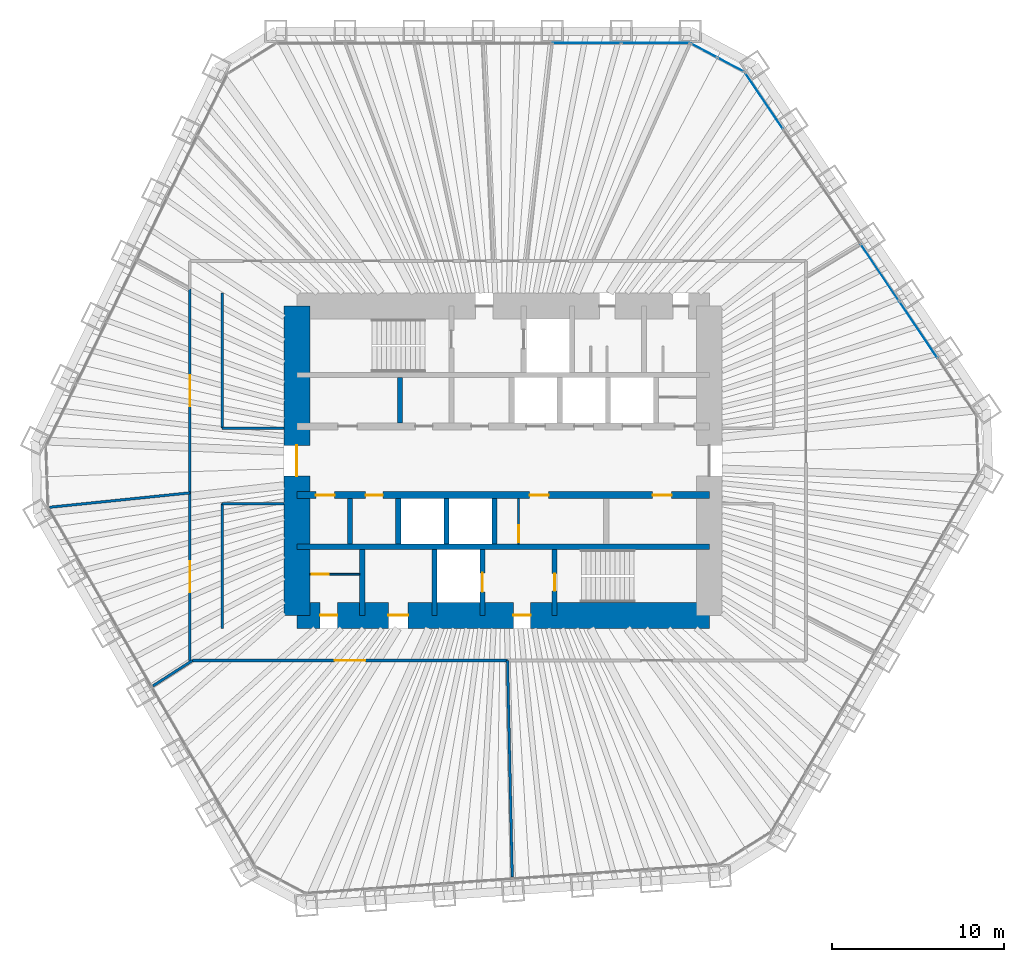
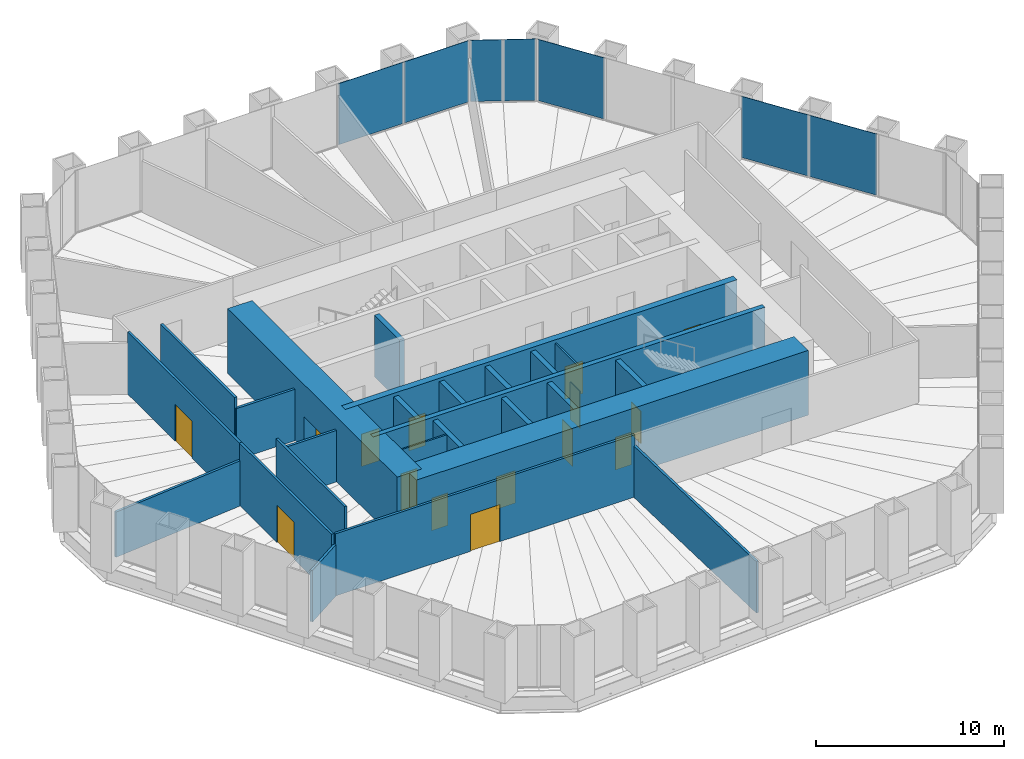
# One storey, part 10 of 13: 25 walls, 15 doors, 7 plates, 15 openings, 3 elements without a shape of their own.
"""IFC4 building model written with IfcOpenShell, lengths in metres."""

from ifc_helpers import new_model, si_unit, direction, frame, frame_2d, origin, origin_2d, place, context, subcontext, project, spatial, rectangle, extrude, material, layer, layer_set, type_object, element, fill, aggregate, save


model = new_model("IFC4")

# Units and contexts
model_context = context("Model", 3, precision=1e-05, world=origin(), true_north=direction((0.0, 1.0)))
body_context = subcontext(model_context, "Body", "Model", "MODEL_VIEW")
ifc_project = project(units=[si_unit("LENGTHUNIT", "METRE"), si_unit("AREAUNIT", "SQUARE_METRE"), si_unit("VOLUMEUNIT", "CUBIC_METRE"), si_unit("PLANEANGLEUNIT", "RADIAN"), si_unit("MASSUNIT", "GRAM", prefix="KILO")], contexts=[model_context])

# Site, building, storey
site_placement = place(None, origin())
site = spatial("IfcSite", under=ifc_project, at=site_placement, CompositionType="ELEMENT")
building_placement = place(site_placement, origin())
building = spatial("IfcBuilding", under=site, at=building_placement, Name="Qingtian Harvest Tower", CompositionType="ELEMENT")
storey_placement = place(building_placement, frame((0.0, 0.0, 136.60009765625)))
storey = spatial("IfcBuildingStorey", under=building, at=storey_placement, Name="L28", CompositionType="ELEMENT", Elevation=136.60009765625)

# Curtain wall, plates
ifc_material_1 = material(Name="Bronze-anodised aluminium curtain wall", Category="aluminium")
curtain_wall_type = type_object("IfcCurtainWallType", Name="Curtain wall CW4 office", PredefinedType="USERDEFINED", material=ifc_material_1)
curtain_wall_1_placement = place(storey_placement, origin())
curtain_wall_1 = element("IfcCurtainWall", 1, at=curtain_wall_1_placement, inside=storey, type_object=curtain_wall_type, Name="Curtain wall CW4 L28 N0-5", ObjectType="RECESSED CURTAIN WALL", PredefinedType="USERDEFINED")
ifc_material_2 = material(Name="Bronze-tinted laminated insulating glass", Category="glass")
ifc_layer_1 = layer(ifc_material_2, 0.030029296875)
ifc_layer_set_1 = layer_set([ifc_layer_1], Name="Glazed panel CWP tinted IGU")
plate_type = type_object("IfcPlateType", Name="Glazed panel CWP tinted IGU", PredefinedType="CURTAIN_PANEL", material=ifc_layer_set_1)
plate_1_placement = place(storey_placement, frame((4.864013671875, 24.300048828125, 0.06494140625), z_axis=(0.0, 0.0, 1.0), x_axis=(1.0, 0.0, 0.0)))
plate_1 = element("IfcPlate", 2, at=plate_1_placement, type_object=plate_type, Name="CW4 panel 5.1", PredefinedType="CURTAIN_PANEL", context=body_context, shape_type="SweptSolid", body=[
    extrude(rectangle(XDim=3.9541015625, YDim=0.030029296875, at=origin_2d()), origin(), (0.0, 0.0, 1.0), 3.965087890625),
])
plate_2_placement = place(storey_placement, frame((8.866943359375, 24.300048828125, 0.06494140625), z_axis=(0.0, 0.0, 1.0), x_axis=(1.0, 0.0, 0.0)))
plate_2 = element("IfcPlate", 3, at=plate_2_placement, type_object=plate_type, Name="CW4 panel 6.1", PredefinedType="CURTAIN_PANEL", context=body_context, shape_type="SweptSolid", body=[
    extrude(rectangle(XDim=3.921630859375, YDim=0.030029296875, at=origin_2d()), origin(), (0.0, 0.0, 1.0), 3.965087890625),
])
aggregate(curtain_wall_1, [plate_1, plate_2])

curtain_wall_2_placement = place(storey_placement, origin())
curtain_wall_2 = element("IfcCurtainWall", 4, at=curtain_wall_2_placement, inside=storey, type_object=curtain_wall_type, Name="Curtain wall CW4 L28 NC", ObjectType="RECESSED CURTAIN WALL", PredefinedType="USERDEFINED")
plate_3_placement = place(storey_placement, frame((11.697509765625, 23.8720703125, 0.06494140625), z_axis=(0.0, 0.0, 1.0), x_axis=(0.882947592859, -0.469471562786, 0.0)))
plate_3 = element("IfcPlate", 5, at=plate_3_placement, type_object=plate_type, Name="CW4 panel 1.1", PredefinedType="CURTAIN_PANEL", context=body_context, shape_type="SweptSolid", body=[
    extrude(rectangle(XDim=1.69287109375, YDim=0.030029296875, at=origin_2d()), origin(), (0.0, 0.0, 1.0), 3.965087890625),
])
plate_4_placement = place(storey_placement, frame((13.249755859375, 23.046875, 0.06494140625), z_axis=(0.0, 0.0, 1.0), x_axis=(0.882947592859, -0.469471562786, 0.0)))
plate_4 = element("IfcPlate", 6, at=plate_4_placement, type_object=plate_type, Name="CW4 panel 2.1", PredefinedType="CURTAIN_PANEL", context=body_context, shape_type="SweptSolid", body=[
    extrude(rectangle(XDim=1.69287109375, YDim=0.030029296875, at=origin_2d()), origin(), (0.0, 0.0, 1.0), 3.965087890625),
])
aggregate(curtain_wall_2, [plate_3, plate_4])

curtain_wall_3_placement = place(storey_placement, origin())
curtain_wall_3 = element("IfcCurtainWall", 7, at=curtain_wall_3_placement, inside=storey, type_object=curtain_wall_type, Name="Curtain wall CW4 L28 NE0-5", ObjectType="RECESSED CURTAIN WALL", PredefinedType="USERDEFINED")
plate_5_placement = place(storey_placement, frame((15.187255859375, 20.939453125, 0.06494140625), z_axis=(0.0, 0.0, 1.0), x_axis=(0.559192903471, -0.829037572555, 0.0)))
plate_5 = element("IfcPlate", 8, at=plate_5_placement, type_object=plate_type, Name="CW4 panel 1.1", PredefinedType="CURTAIN_PANEL", context=body_context, shape_type="SweptSolid", body=[
    extrude(rectangle(XDim=3.921630859375, YDim=0.030029296875, at=origin_2d()), origin(), (0.0, 0.0, 1.0), 3.965087890625),
])
plate_6_placement = place(storey_placement, frame((21.92041015625, 10.95703125, 0.06494140625), z_axis=(0.0, 0.0, 1.0), x_axis=(0.559192903471, -0.829037572555, 0.0)))
plate_6 = element("IfcPlate", 9, at=plate_6_placement, type_object=plate_type, Name="CW4 panel 4.1", PredefinedType="CURTAIN_PANEL", context=body_context, shape_type="SweptSolid", body=[
    extrude(rectangle(XDim=3.9541015625, YDim=0.030029296875, at=origin_2d()), origin(), (0.0, 0.0, 1.0), 3.965087890625),
])
plate_7_placement = place(storey_placement, frame((24.16796875, 7.625, 0.06494140625), z_axis=(0.0, 0.0, 1.0), x_axis=(0.559192903471, -0.829037572555, 0.0)))
plate_7 = element("IfcPlate", 10, at=plate_7_placement, type_object=plate_type, Name="CW4 panel 5.1", PredefinedType="CURTAIN_PANEL", context=body_context, shape_type="SweptSolid", body=[
    extrude(rectangle(XDim=3.9541015625, YDim=0.030029296875, at=origin_2d()), origin(), (0.0, 0.0, 1.0), 3.965087890625),
])
aggregate(curtain_wall_3, [plate_5, plate_6, plate_7])

# Wall
ifc_material_3 = material(Name="Concrete fc' 70 MPa", Category="concrete")
ifc_layer_2 = layer(ifc_material_3, 0.300048828125)
ifc_layer_set_2 = layer_set([ifc_layer_2], Name="Core inner wall RC5 300")
wall_type_1 = type_object("IfcWallType", Name="Core inner wall RC5 300", PredefinedType="SHEAR", material=ifc_layer_set_2)
wall_1_placement = place(storey_placement, frame((-12.0, -5.0, 0.0), z_axis=(0.0, 0.0, 1.0), x_axis=(1.0, 0.0, 0.0)))
element("IfcWall", 11, at=wall_1_placement, inside=storey, type_object=wall_type_1, Name="Core wall IS5 L28", PredefinedType="SHEAR", context=body_context, shape_type="SweptSolid", body=[
    extrude(rectangle(XDim=24.0, YDim=0.300048828125, at=frame_2d((12.0, 0.0))), origin(), (0.0, 0.0, 1.0), 4.199951171875),
])

# Wall, openings, doors
ifc_material_4 = material(Name="Concrete fc' 70 MPa", Category="concrete")
ifc_layer_3 = layer(ifc_material_4, 0.39990234375)
ifc_layer_set_3 = layer_set([ifc_layer_3], Name="Core inner web RC6 400")
wall_type_2 = type_object("IfcWallType", Name="Core inner web RC6 400", PredefinedType="SHEAR", material=ifc_layer_set_3)
wall_2_placement = place(storey_placement, frame((-12.0, -2.0, 0.0), z_axis=(0.0, 0.0, 1.0), x_axis=(1.0, 0.0, 0.0)))
wall_2 = element("IfcWall", 12, at=wall_2_placement, inside=storey, type_object=wall_type_2, Name="Core wall IS2 L28", PredefinedType="SHEAR", context=body_context, shape_type="SweptSolid", body=[
    extrude(rectangle(XDim=24.0, YDim=0.39990234375, at=frame_2d((12.0, 0.0))), origin(), (0.0, 0.0, 1.0), 4.199951171875),
])
opening_1_placement = place(wall_2_placement, frame((1.10009765625, 0.0, 0.0)))
opening_1 = element("IfcOpeningElement", 13, at=opening_1_placement, cuts=wall_2, Name="Opening FD4", PredefinedType="OPENING", context=body_context, shape_type="SweptSolid", body=[
    extrude(rectangle(XDim=1.10009765625, YDim=2.10009765625, at=frame_2d((0.550048828125, 1.050048828125))), frame((0.0, 0.2099609375, 0.0), z_axis=(0.0, -1.0, 0.0), x_axis=(1.0, 0.0, 0.0)), (0.0, 0.0, 1.0), 0.419921875),
])
opening_2_placement = place(wall_2_placement, frame((13.550048828125, 0.0, 0.0)))
opening_2 = element("IfcOpeningElement", 14, at=opening_2_placement, cuts=wall_2, Name="Opening FD4", PredefinedType="OPENING", context=body_context, shape_type="SweptSolid", body=[
    extrude(rectangle(XDim=1.10009765625, YDim=2.10009765625, at=frame_2d((0.550048828125, 1.050048828125))), frame((0.0, 0.2099609375, 0.0), z_axis=(0.0, -1.0, 0.0), x_axis=(1.0, 0.0, 0.0)), (0.0, 0.0, 1.0), 0.419921875),
])
opening_3_placement = place(wall_2_placement, frame((20.699951171875, 0.0, 0.0)))
opening_3 = element("IfcOpeningElement", 15, at=opening_3_placement, cuts=wall_2, Name="Opening FD4", PredefinedType="OPENING", context=body_context, shape_type="SweptSolid", body=[
    extrude(rectangle(XDim=1.10009765625, YDim=2.10009765625, at=frame_2d((0.550048828125, 1.050048828125))), frame((0.0, 0.2099609375, 0.0), z_axis=(0.0, -1.0, 0.0), x_axis=(1.0, 0.0, 0.0)), (0.0, 0.0, 1.0), 0.419921875),
])
opening_4_placement = place(wall_2_placement, frame((4.0, 0.0, 0.0)))
opening_4 = element("IfcOpeningElement", 16, at=opening_4_placement, cuts=wall_2, Name="Opening FD1", PredefinedType="OPENING", context=body_context, shape_type="SweptSolid", body=[
    extrude(rectangle(XDim=1.0, YDim=2.10009765625, at=frame_2d((0.5, 1.050048828125))), frame((0.0, 0.2099609375, 0.0), z_axis=(0.0, -1.0, 0.0), x_axis=(1.0, 0.0, 0.0)), (0.0, 0.0, 1.0), 0.419921875),
])
ifc_material_5 = material(Name="Steel-faced door leaf", Category="steel")
door_type_1 = type_object("IfcDoorType", Name="Fire door FD1 single 1 HR", OperationType="SINGLE_SWING_LEFT", PredefinedType="DOOR", material=ifc_material_5)
door_1_placement = place(opening_4_placement, origin())
door_1 = element("IfcDoor", 17, at=door_1_placement, inside=storey, type_object=door_type_1, Name="Staff WC door L28", OperationType="SINGLE_SWING_LEFT", OverallHeight=2.10009765625, OverallWidth=1.0, PredefinedType="DOOR", context=body_context, shape_type="SweptSolid", body=[
    extrude(rectangle(XDim=1.0, YDim=2.10009765625, at=frame_2d((0.5, 1.050048828125))), frame((0.0, 0.02490234375, 0.0), z_axis=(0.0, -1.0, 0.0), x_axis=(1.0, 0.0, 0.0)), (0.0, 0.0, 1.0), 0.050048828125),
])
fill(opening_4, door_1)
ifc_material_6 = material(Name="Steel-faced door leaf", Category="steel")
door_type_2 = type_object("IfcDoorType", Name="Fire door FD4 single 2 HR", OperationType="SINGLE_SWING_LEFT", PredefinedType="DOOR", material=ifc_material_6)
door_2_placement = place(opening_1_placement, origin())
door_2 = element("IfcDoor", 18, at=door_2_placement, inside=storey, type_object=door_type_2, Name="RB door L28", OperationType="SINGLE_SWING_RIGHT", OverallHeight=2.10009765625, OverallWidth=1.10009765625, PredefinedType="DOOR", context=body_context, shape_type="SweptSolid", body=[
    extrude(rectangle(XDim=1.10009765625, YDim=2.10009765625, at=frame_2d((0.550048828125, 1.050048828125))), frame((0.0, 0.02490234375, 0.0), z_axis=(0.0, -1.0, 0.0), x_axis=(1.0, 0.0, 0.0)), (0.0, 0.0, 1.0), 0.050048828125),
])
fill(opening_1, door_2)
door_3_placement = place(opening_2_placement, origin())
door_3 = element("IfcDoor", 19, at=door_3_placement, inside=storey, type_object=door_type_2, Name="ELEC door L28", OperationType="SINGLE_SWING_RIGHT", OverallHeight=2.10009765625, OverallWidth=1.10009765625, PredefinedType="DOOR", context=body_context, shape_type="SweptSolid", body=[
    extrude(rectangle(XDim=1.10009765625, YDim=2.10009765625, at=frame_2d((0.550048828125, 1.050048828125))), frame((0.0, 0.02490234375, 0.0), z_axis=(0.0, -1.0, 0.0), x_axis=(1.0, 0.0, 0.0)), (0.0, 0.0, 1.0), 0.050048828125),
])
fill(opening_2, door_3)
door_4_placement = place(opening_3_placement, origin())
door_4 = element("IfcDoor", 20, at=door_4_placement, inside=storey, type_object=door_type_2, Name="DUCT door L28", OperationType="SINGLE_SWING_LEFT", OverallHeight=2.10009765625, OverallWidth=1.10009765625, PredefinedType="DOOR", context=body_context, shape_type="SweptSolid", body=[
    extrude(rectangle(XDim=1.10009765625, YDim=2.10009765625, at=frame_2d((0.550048828125, 1.050048828125))), frame((0.0, 0.02490234375, 0.0), z_axis=(0.0, -1.0, 0.0), x_axis=(1.0, 0.0, 0.0)), (0.0, 0.0, 1.0), 0.050048828125),
])
fill(opening_3, door_4)

# Walls
ifc_material_7 = material(Name="Precast concrete shaft panel", Category="concrete")
ifc_layer_4 = layer(ifc_material_7, 0.300048828125)
ifc_layer_set_4 = layer_set([ifc_layer_4], Name="Core shaft partition SW1 300")
wall_type_3 = type_object("IfcWallType", Name="Core shaft partition SW1 300", PredefinedType="PARTITIONING", material=ifc_layer_set_4)
for number, where, z_axis, x_axis, name in (
    (21, (-6.0, 2.199951171875, 0.0), (0.0, 0.0, 1.0), (0.0, 1.0, 0.0), "Core shaft partition XA1 L28"),
    (22, (-8.89990234375, -4.85009765625, 0.0), (0.0, 0.0, 1.0), (0.0, 1.0, 0.0), "Core shaft partition XB1 L28"),
    (23, (-6.10009765625, -4.85009765625, 0.0), (0.0, 0.0, 1.0), (0.0, 1.0, 0.0), "Core shaft partition XB2 L28"),
    (24, (-3.300048828125, -4.85009765625, 0.0), (0.0, 0.0, 1.0), (0.0, 1.0, 0.0), "Core shaft partition XB3 L28"),
    (25, (-0.5, -4.85009765625, 0.0), (0.0, 0.0, 1.0), (0.0, 1.0, 0.0), "Core shaft partition XB4 L28"),
):
    element("IfcWall", number, at=place(storey_placement, frame(where, z_axis=z_axis, x_axis=x_axis)), inside=storey, type_object=wall_type_3, Name=name, PredefinedType="PARTITIONING", context=body_context, shape_type="SweptSolid", body=[
        extrude(rectangle(XDim=2.650146484375, YDim=0.300048828125, at=frame_2d((1.3251953125, 0.0))), origin(), (0.0, 0.0, 1.0), 3.97998046875),
    ])
for number, where, z_axis, x_axis, name in (
    (26, (-8.199951171875, -9.0, 0.0), (0.0, 0.0, 1.0), (0.0, 1.0, 0.0), "Core shaft partition XS1 L28"),
    (27, (-4.0, -9.0, 0.0), (0.0, 0.0, 1.0), (0.0, 1.0, 0.0), "Core shaft partition XS2 L28"),
):
    element("IfcWall", number, at=place(storey_placement, frame(where, z_axis=z_axis, x_axis=x_axis)), inside=storey, type_object=wall_type_3, Name=name, PredefinedType="PARTITIONING", context=body_context, shape_type="SweptSolid", body=[
        extrude(rectangle(XDim=3.85009765625, YDim=0.300048828125, at=frame_2d((1.925048828125, 0.0))), origin(), (0.0, 0.0, 1.0), 3.97998046875),
    ])

# Wall, opening, door
wall_3_placement = place(storey_placement, frame((-1.199951171875, -9.0, 0.0), z_axis=(0.0, 0.0, 1.0), x_axis=(0.0, 1.0, 0.0)))
wall_3 = element("IfcWall", 28, at=wall_3_placement, inside=storey, type_object=wall_type_3, Name="Core shaft partition XS3 L28", PredefinedType="PARTITIONING", context=body_context, shape_type="SweptSolid", body=[
    extrude(rectangle(XDim=3.85009765625, YDim=0.300048828125, at=frame_2d((1.925048828125, 0.0))), origin(), (0.0, 0.0, 1.0), 3.97998046875),
])
opening_5_placement = place(wall_3_placement, frame((1.375, 0.0, 0.0)))
opening_5 = element("IfcOpeningElement", 29, at=opening_5_placement, cuts=wall_3, Name="Opening LD1", PredefinedType="OPENING", context=body_context, shape_type="SweptSolid", body=[
    extrude(rectangle(XDim=1.10009765625, YDim=2.39990234375, at=frame_2d((0.550048828125, 1.199951171875))), frame((0.0, 0.159912109375, 0.0), z_axis=(0.0, -1.0, 0.0), x_axis=(1.0, 0.0, 0.0)), (0.0, 0.0, 1.0), 0.320068359375),
])
ifc_material_8 = material(Name="Stainless steel lift landing door", Category="steel")
door_type_3 = type_object("IfcDoorType", Name="Lift landing door LD1 1 HR", OperationType="DOUBLE_DOOR_SLIDING", PredefinedType="DOOR", material=ifc_material_8)
door_5_placement = place(opening_5_placement, origin())
door_5 = element("IfcDoor", 30, at=door_5_placement, inside=storey, type_object=door_type_3, Name="FL2 landing door L28", OperationType="DOUBLE_DOOR_SLIDING", OverallHeight=2.39990234375, OverallWidth=1.10009765625, PredefinedType="DOOR", context=body_context, shape_type="SweptSolid", body=[
    extrude(rectangle(XDim=1.10009765625, YDim=2.39990234375, at=frame_2d((0.550048828125, 1.199951171875))), frame((0.0, 0.02490234375, 0.0), z_axis=(0.0, -1.0, 0.0), x_axis=(1.0, 0.0, 0.0)), (0.0, 0.0, 1.0), 0.050048828125),
])
fill(opening_5, door_5)

wall_4_placement = place(storey_placement, frame((3.0, -9.0, 0.0), z_axis=(0.0, 0.0, 1.0), x_axis=(0.0, 1.0, 0.0)))
wall_4 = element("IfcWall", 31, at=wall_4_placement, inside=storey, type_object=wall_type_3, Name="Core shaft partition XS4 L28", PredefinedType="PARTITIONING", context=body_context, shape_type="SweptSolid", body=[
    extrude(rectangle(XDim=3.85009765625, YDim=0.300048828125, at=frame_2d((1.925048828125, 0.0))), origin(), (0.0, 0.0, 1.0), 3.97998046875),
])
opening_6_placement = place(wall_4_placement, frame((1.425048828125, 0.0, 0.0)))
opening_6 = element("IfcOpeningElement", 32, at=opening_6_placement, cuts=wall_4, Name="Opening FD1", PredefinedType="OPENING", context=body_context, shape_type="SweptSolid", body=[
    extrude(rectangle(XDim=1.0, YDim=2.10009765625, at=frame_2d((0.5, 1.050048828125))), frame((0.0, 0.159912109375, 0.0), z_axis=(0.0, -1.0, 0.0), x_axis=(1.0, 0.0, 0.0)), (0.0, 0.0, 1.0), 0.320068359375),
])
door_6_placement = place(opening_6_placement, origin())
door_6 = element("IfcDoor", 33, at=door_6_placement, inside=storey, type_object=door_type_1, Name="S2 door L28", OperationType="SINGLE_SWING_LEFT", OverallHeight=2.10009765625, OverallWidth=1.0, PredefinedType="DOOR", context=body_context, shape_type="SweptSolid", body=[
    extrude(rectangle(XDim=1.0, YDim=2.10009765625, at=frame_2d((0.5, 1.050048828125))), frame((0.0, 0.02490234375, 0.0), z_axis=(0.0, -1.0, 0.0), x_axis=(1.0, 0.0, 0.0)), (0.0, 0.0, 1.0), 0.050048828125),
])
fill(opening_6, door_6)

# Wall, openings, doors
ifc_material_9 = material(Name="Concrete fc' 70 MPa", Category="concrete")
ifc_layer_5 = layer(ifc_material_9, 1.5)
ifc_layer_set_5 = layer_set([ifc_layer_5], Name="Core wall RC1 1500")
wall_type_4 = type_object("IfcWallType", Name="Core wall RC1 1500", PredefinedType="SHEAR", material=ifc_layer_set_5)
wall_5_placement = place(storey_placement, frame((-12.0, -9.0, 0.0), z_axis=(0.0, 0.0, 1.0), x_axis=(1.0, 0.0, 0.0)))
wall_5 = element("IfcWall", 34, at=wall_5_placement, inside=storey, type_object=wall_type_4, Name="Core wall CS L28", PredefinedType="SHEAR", context=body_context, shape_type="SweptSolid", body=[
    extrude(rectangle(XDim=24.0, YDim=1.5, at=frame_2d((12.0, 0.0))), origin(), (0.0, 0.0, 1.0), 4.199951171875),
])
opening_7_placement = place(wall_5_placement, frame((1.35009765625, 0.0, 0.0)))
opening_7 = element("IfcOpeningElement", 35, at=opening_7_placement, cuts=wall_5, Name="Opening FD1", PredefinedType="OPENING", context=body_context, shape_type="SweptSolid", body=[
    extrude(rectangle(XDim=1.0, YDim=2.10009765625, at=frame_2d((0.5, 1.050048828125))), frame((0.0, 0.760009765625, 0.0), z_axis=(0.0, -1.0, 0.0), x_axis=(1.0, 0.0, 0.0)), (0.0, 0.0, 1.0), 1.52001953125),
])
opening_8_placement = place(wall_5_placement, frame((5.324951171875, 0.0, 0.0)))
opening_8 = element("IfcOpeningElement", 36, at=opening_8_placement, cuts=wall_5, Name="Opening AD1", PredefinedType="OPENING", context=body_context, shape_type="SweptSolid", body=[
    extrude(rectangle(XDim=1.14990234375, YDim=2.10009765625, at=frame_2d((0.574951171875, 1.050048828125))), frame((0.0, 0.760009765625, 0.0), z_axis=(0.0, -1.0, 0.0), x_axis=(1.0, 0.0, 0.0)), (0.0, 0.0, 1.0), 1.52001953125),
])
opening_9_placement = place(wall_5_placement, frame((12.60009765625, 0.0, 0.0)))
opening_9 = element("IfcOpeningElement", 37, at=opening_9_placement, cuts=wall_5, Name="Opening FD1", PredefinedType="OPENING", context=body_context, shape_type="SweptSolid", body=[
    extrude(rectangle(XDim=1.0, YDim=2.10009765625, at=frame_2d((0.5, 1.050048828125))), frame((0.0, 0.760009765625, 0.0), z_axis=(0.0, -1.0, 0.0), x_axis=(1.0, 0.0, 0.0)), (0.0, 0.0, 1.0), 1.52001953125),
])
ifc_material_10 = material(Name="Laminated timber door leaf", Category="wood")
door_type_4 = type_object("IfcDoorType", Name="Accessible WC door AD1 single", OperationType="SINGLE_SWING_LEFT", PredefinedType="DOOR", material=ifc_material_10)
door_7_placement = place(opening_8_placement, origin())
door_7 = element("IfcDoor", 38, at=door_7_placement, inside=storey, type_object=door_type_4, Name="AWC door L28", OperationType="SINGLE_SWING_RIGHT", OverallHeight=2.10009765625, OverallWidth=1.14990234375, PredefinedType="DOOR", context=body_context, shape_type="SweptSolid", body=[
    extrude(rectangle(XDim=1.14990234375, YDim=2.10009765625, at=frame_2d((0.574951171875, 1.050048828125))), frame((0.0, 0.02490234375, 0.0), z_axis=(0.0, -1.0, 0.0), x_axis=(1.0, 0.0, 0.0)), (0.0, 0.0, 1.0), 0.050048828125),
])
fill(opening_8, door_7)
door_8_placement = place(opening_7_placement, origin())
door_8 = element("IfcDoor", 39, at=door_8_placement, inside=storey, type_object=door_type_1, Name="CLN door L28", OperationType="SINGLE_SWING_LEFT", OverallHeight=2.10009765625, OverallWidth=1.0, PredefinedType="DOOR", context=body_context, shape_type="SweptSolid", body=[
    extrude(rectangle(XDim=1.0, YDim=2.10009765625, at=frame_2d((0.5, 1.050048828125))), frame((0.0, 0.02490234375, 0.0), z_axis=(0.0, -1.0, 0.0), x_axis=(1.0, 0.0, 0.0)), (0.0, 0.0, 1.0), 0.050048828125),
])
fill(opening_7, door_8)
door_9_placement = place(opening_9_placement, origin())
door_9 = element("IfcDoor", 40, at=door_9_placement, inside=storey, type_object=door_type_1, Name="V2 door L28", OperationType="SINGLE_SWING_LEFT", OverallHeight=2.10009765625, OverallWidth=1.0, PredefinedType="DOOR", context=body_context, shape_type="SweptSolid", body=[
    extrude(rectangle(XDim=1.0, YDim=2.10009765625, at=frame_2d((0.5, 1.050048828125))), frame((0.0, 0.02490234375, 0.0), z_axis=(0.0, -1.0, 0.0), x_axis=(1.0, 0.0, 0.0)), (0.0, 0.0, 1.0), 0.050048828125),
])
fill(opening_9, door_9)

# Wall, opening, door
wall_6_placement = place(storey_placement, frame((-12.0, -9.0, 0.0), z_axis=(0.0, 0.0, 1.0), x_axis=(0.0, 1.0, 0.0)))
wall_6 = element("IfcWall", 41, at=wall_6_placement, inside=storey, type_object=wall_type_4, Name="Core wall CW L28", PredefinedType="SHEAR", context=body_context, shape_type="SweptSolid", body=[
    extrude(rectangle(XDim=18.0, YDim=1.5, at=frame_2d((9.0, 0.0))), origin(), (0.0, 0.0, 1.0), 4.199951171875),
])
opening_10_placement = place(wall_6_placement, frame((8.10009765625, 0.0, 0.0)))
opening_10 = element("IfcOpeningElement", 42, at=opening_10_placement, cuts=wall_6, Name="Opening FD2", PredefinedType="OPENING", context=body_context, shape_type="SweptSolid", body=[
    extrude(rectangle(XDim=1.800048828125, YDim=2.10009765625, at=frame_2d((0.89990234375, 1.050048828125))), frame((0.0, 0.760009765625, 0.0), z_axis=(0.0, -1.0, 0.0), x_axis=(1.0, 0.0, 0.0)), (0.0, 0.0, 1.0), 1.52001953125),
])
ifc_material_11 = material(Name="Steel-faced door leaf", Category="steel")
door_type_5 = type_object("IfcDoorType", Name="Fire door FD2 double 1 HR", OperationType="DOUBLE_DOOR_DOUBLE_SWING", PredefinedType="DOOR", material=ifc_material_11)
door_10_placement = place(opening_10_placement, origin())
door_10 = element("IfcDoor", 43, at=door_10_placement, inside=storey, type_object=door_type_5, Name="LOBBY-W door L28", OperationType="DOUBLE_DOOR_DOUBLE_SWING", OverallHeight=2.10009765625, OverallWidth=1.800048828125, PredefinedType="DOOR", context=body_context, shape_type="SweptSolid", body=[
    extrude(rectangle(XDim=1.800048828125, YDim=2.10009765625, at=frame_2d((0.89990234375, 1.050048828125))), frame((0.0, 0.02490234375, 0.0), z_axis=(0.0, -1.0, 0.0), x_axis=(1.0, 0.0, 0.0)), (0.0, 0.0, 1.0), 0.050048828125),
])
fill(opening_10, door_10)

# Wall
ifc_material_12 = material(Name="Gypsum board on steel studs", Category="steel")
ifc_layer_6 = layer(ifc_material_12, 0.14990234375)
ifc_layer_set_6 = layer_set([ifc_layer_6], Name="Partition PT1 150")
wall_type_5 = type_object("IfcWallType", Name="Partition PT1 150", PredefinedType="PARTITIONING", material=ifc_layer_set_6)
wall_7_placement = place(storey_placement, frame((0.53125, -24.22216796875, 0.0), z_axis=(0.0, 0.0, 1.0), x_axis=(-0.021933557026, 0.999759430601, 0.0)))
element("IfcWall", 44, at=wall_7_placement, inside=storey, type_object=wall_type_5, Name="Office suite wall L28", PredefinedType="PARTITIONING", context=body_context, shape_type="SweptSolid", body=[
    extrude(rectangle(XDim=12.60009765625, YDim=0.14990234375, at=frame_2d((6.300048828125, 0.0))), origin(), (0.0, 0.0, 1.0), 3.329833984375),
])

# Wall, opening, door
wall_8_placement = place(storey_placement, frame((0.2548828125, -11.625, 0.0), z_axis=(0.0, 0.0, 1.0), x_axis=(-1.0, 0.0, 0.0)))
wall_8 = element("IfcWall", 45, at=wall_8_placement, inside=storey, type_object=wall_type_5, Name="Office suite wall L28", PredefinedType="PARTITIONING", context=body_context, shape_type="SweptSolid", body=[
    extrude(rectangle(XDim=18.332275390625, YDim=0.14990234375, at=frame_2d((9.166015625, 0.0))), origin(), (0.0, 0.0, 1.0), 4.02978515625),
])
opening_11_placement = place(wall_8_placement, frame((8.26611328125, 0.0, 0.0)))
opening_11 = element("IfcOpeningElement", 46, at=opening_11_placement, cuts=wall_8, Name="Opening D3", PredefinedType="OPENING", context=body_context, shape_type="SweptSolid", body=[
    extrude(rectangle(XDim=1.800048828125, YDim=2.39990234375, at=frame_2d((0.89990234375, 1.199951171875))), frame((0.0, 0.0849609375, 0.0), z_axis=(0.0, -1.0, 0.0), x_axis=(1.0, 0.0, 0.0)), (0.0, 0.0, 1.0), 0.169921875),
])
ifc_material_13 = material(Name="Laminated timber door leaf", Category="wood")
door_type_6 = type_object("IfcDoorType", Name="Room door D3 double", OperationType="DOUBLE_DOOR_DOUBLE_SWING", PredefinedType="DOOR", material=ifc_material_13)
door_11_placement = place(opening_11_placement, origin())
door_11 = element("IfcDoor", 47, at=door_11_placement, inside=storey, type_object=door_type_6, Name="Office suite door L28", OperationType="DOUBLE_DOOR_DOUBLE_SWING", OverallHeight=2.39990234375, OverallWidth=1.800048828125, PredefinedType="DOOR", context=body_context, shape_type="SweptSolid", body=[
    extrude(rectangle(XDim=1.800048828125, YDim=2.39990234375, at=frame_2d((0.89990234375, 1.199951171875))), frame((0.0, 0.02490234375, 0.0), z_axis=(0.0, -1.0, 0.0), x_axis=(1.0, 0.0, 0.0)), (0.0, 0.0, 1.0), 0.050048828125),
])
fill(opening_11, door_11)

# Wall
wall_9_placement = place(storey_placement, frame((-20.378173828125, -13.1044921875, 0.0), z_axis=(0.0, 0.0, 1.0), x_axis=(0.841108871346, 0.540865848934, 0.0)))
element("IfcWall", 48, at=wall_9_placement, inside=storey, type_object=wall_type_5, Name="Office suite wall L28", PredefinedType="PARTITIONING", context=body_context, shape_type="SweptSolid", body=[
    extrude(rectangle(XDim=2.7353515625, YDim=0.14990234375, at=frame_2d((1.36767578125, 0.0))), origin(), (0.0, 0.0, 1.0), 3.329833984375),
])

# Wall, opening, door
wall_10_placement = place(storey_placement, frame((-18.22509765625, -11.625, 0.0), z_axis=(0.0, 0.0, 1.0), x_axis=(0.0, 1.0, 0.0)))
wall_10 = element("IfcWall", 49, at=wall_10_placement, inside=storey, type_object=wall_type_5, Name="Office suite wall L28", PredefinedType="PARTITIONING", context=body_context, shape_type="SweptSolid", body=[
    extrude(rectangle(XDim=9.756103515625, YDim=0.14990234375, at=frame_2d((4.8779296875, 0.0))), origin(), (0.0, 0.0, 1.0), 4.02978515625),
])
opening_12_placement = place(wall_10_placement, frame((3.97802734375, 0.0, 0.0)))
opening_12 = element("IfcOpeningElement", 50, at=opening_12_placement, cuts=wall_10, Name="Opening D3", PredefinedType="OPENING", context=body_context, shape_type="SweptSolid", body=[
    extrude(rectangle(XDim=1.800048828125, YDim=2.39990234375, at=frame_2d((0.89990234375, 1.199951171875))), frame((0.0, 0.0849609375, 0.0), z_axis=(0.0, -1.0, 0.0), x_axis=(1.0, 0.0, 0.0)), (0.0, 0.0, 1.0), 0.169921875),
])
door_12_placement = place(opening_12_placement, origin())
door_12 = element("IfcDoor", 51, at=door_12_placement, inside=storey, type_object=door_type_6, Name="Office suite door L28", OperationType="DOUBLE_DOOR_DOUBLE_SWING", OverallHeight=2.39990234375, OverallWidth=1.800048828125, PredefinedType="DOOR", context=body_context, shape_type="SweptSolid", body=[
    extrude(rectangle(XDim=1.800048828125, YDim=2.39990234375, at=frame_2d((0.89990234375, 1.199951171875))), frame((0.0, 0.02490234375, 0.0), z_axis=(0.0, -1.0, 0.0), x_axis=(1.0, 0.0, 0.0)), (0.0, 0.0, 1.0), 0.050048828125),
])
fill(opening_12, door_12)

# Wall
wall_11_placement = place(storey_placement, frame((-26.391357421875, -2.706298828125, 0.0), z_axis=(0.0, 0.0, 1.0), x_axis=(0.994783450774, 0.102009245004, 0.0)))
element("IfcWall", 52, at=wall_11_placement, inside=storey, type_object=wall_type_5, Name="Office suite wall L28", PredefinedType="PARTITIONING", context=body_context, shape_type="SweptSolid", body=[
    extrude(rectangle(XDim=8.208984375, YDim=0.14990234375, at=frame_2d((4.1044921875, 0.0))), origin(), (0.0, 0.0, 1.0), 2.929931640625),
])

# Wall, opening, door
wall_12_placement = place(storey_placement, frame((-18.22509765625, -1.868896484375, 0.0), z_axis=(0.0, 0.0, 1.0), x_axis=(0.0, 1.0, 0.0)))
wall_12 = element("IfcWall", 53, at=wall_12_placement, inside=storey, type_object=wall_type_5, Name="Office suite wall L28", PredefinedType="PARTITIONING", context=body_context, shape_type="SweptSolid", body=[
    extrude(rectangle(XDim=11.86474609375, YDim=0.14990234375, at=frame_2d((5.932373046875, 0.0))), origin(), (0.0, 0.0, 1.0), 4.02978515625),
])
opening_13_placement = place(wall_12_placement, frame((5.032470703125, 0.0, 0.0)))
opening_13 = element("IfcOpeningElement", 54, at=opening_13_placement, cuts=wall_12, Name="Opening D3", PredefinedType="OPENING", context=body_context, shape_type="SweptSolid", body=[
    extrude(rectangle(XDim=1.800048828125, YDim=2.39990234375, at=frame_2d((0.89990234375, 1.199951171875))), frame((0.0, 0.0849609375, 0.0), z_axis=(0.0, -1.0, 0.0), x_axis=(1.0, 0.0, 0.0)), (0.0, 0.0, 1.0), 0.169921875),
])
door_13_placement = place(opening_13_placement, origin())
door_13 = element("IfcDoor", 55, at=door_13_placement, inside=storey, type_object=door_type_6, Name="Office suite door L28", OperationType="DOUBLE_DOOR_DOUBLE_SWING", OverallHeight=2.39990234375, OverallWidth=1.800048828125, PredefinedType="DOOR", context=body_context, shape_type="SweptSolid", body=[
    extrude(rectangle(XDim=1.800048828125, YDim=2.39990234375, at=frame_2d((0.89990234375, 1.199951171875))), frame((0.0, 0.02490234375, 0.0), z_axis=(0.0, -1.0, 0.0), x_axis=(1.0, 0.0, 0.0)), (0.0, 0.0, 1.0), 0.050048828125),
])
fill(opening_13, door_13)

# Walls
wall_13_placement = place(storey_placement, frame((-16.35009765625, 1.89990234375, 0.0), z_axis=(0.0, 0.0, 1.0), x_axis=(0.0, 1.0, 0.0)))
element("IfcWall", 56, at=wall_13_placement, inside=storey, type_object=wall_type_5, Name="Reading area wall L28", PredefinedType="PARTITIONING", context=body_context, shape_type="SweptSolid", body=[
    extrude(rectangle(XDim=7.85009765625, YDim=0.14990234375, at=frame_2d((3.925048828125, 0.0))), origin(), (0.0, 0.0, 1.0), 4.02978515625),
])
wall_14_placement = place(storey_placement, frame((-12.75, 1.89990234375, 0.0), z_axis=(0.0, 0.0, 1.0), x_axis=(-1.0, 0.0, 0.0)))
element("IfcWall", 57, at=wall_14_placement, inside=storey, type_object=wall_type_5, Name="Reading area wall L28", PredefinedType="PARTITIONING", context=body_context, shape_type="SweptSolid", body=[
    extrude(rectangle(XDim=3.60009765625, YDim=0.14990234375, at=frame_2d((1.800048828125, 0.0))), origin(), (0.0, 0.0, 1.0), 3.329833984375),
])
wall_15_placement = place(storey_placement, frame((-16.35009765625, -9.75, 0.0), z_axis=(0.0, 0.0, 1.0), x_axis=(0.0, 1.0, 0.0)))
element("IfcWall", 58, at=wall_15_placement, inside=storey, type_object=wall_type_5, Name="Coffee point wall L28", PredefinedType="PARTITIONING", context=body_context, shape_type="SweptSolid", body=[
    extrude(rectangle(XDim=7.25, YDim=0.14990234375, at=frame_2d((3.625, 0.0))), origin(), (0.0, 0.0, 1.0), 4.02978515625),
])
wall_16_placement = place(storey_placement, frame((-12.75, -2.5, 0.0), z_axis=(0.0, 0.0, 1.0), x_axis=(-1.0, 0.0, 0.0)))
element("IfcWall", 59, at=wall_16_placement, inside=storey, type_object=wall_type_5, Name="Coffee point wall L28", PredefinedType="PARTITIONING", context=body_context, shape_type="SweptSolid", body=[
    extrude(rectangle(XDim=3.60009765625, YDim=0.14990234375, at=frame_2d((1.800048828125, 0.0))), origin(), (0.0, 0.0, 1.0), 3.329833984375),
])

# Wall, opening, door
ifc_material_14 = material(Name="Concrete block partition", Category="concrete")
ifc_layer_7 = layer(ifc_material_14, 0.10009765625)
ifc_layer_set_7 = layer_set([ifc_layer_7], Name="Store partition PT3 100")
wall_type_6 = type_object("IfcWallType", Name="Store partition PT3 100", PredefinedType="PARTITIONING", material=ifc_layer_set_7)
wall_17_placement = place(storey_placement, frame((0.89990234375, -4.85009765625, 0.0), z_axis=(0.0, 0.0, 1.0), x_axis=(0.0, 1.0, 0.0)))
wall_17 = element("IfcWall", 60, at=wall_17_placement, inside=storey, type_object=wall_type_6, Name="Comms room wall L28", PredefinedType="PARTITIONING", context=body_context, shape_type="SweptSolid", body=[
    extrude(rectangle(XDim=2.650146484375, YDim=0.10009765625, at=frame_2d((1.3251953125, 0.0))), origin(), (0.0, 0.0, 1.0), 3.97998046875),
])
opening_14_placement = place(wall_17_placement, frame((0.10009765625, 0.0, 0.0)))
opening_14 = element("IfcOpeningElement", 61, at=opening_14_placement, cuts=wall_17, Name="Opening D2", PredefinedType="OPENING", context=body_context, shape_type="SweptSolid", body=[
    extrude(rectangle(XDim=1.0, YDim=2.39990234375, at=frame_2d((0.5, 1.199951171875))), frame((0.0, 0.06005859375, 0.0), z_axis=(0.0, -1.0, 0.0), x_axis=(1.0, 0.0, 0.0)), (0.0, 0.0, 1.0), 0.1201171875),
])
ifc_material_15 = material(Name="Laminated timber door leaf", Category="wood")
door_type_7 = type_object("IfcDoorType", Name="Room door D2 single", OperationType="SINGLE_SWING_LEFT", PredefinedType="DOOR", material=ifc_material_15)
door_14_placement = place(opening_14_placement, origin())
door_14 = element("IfcDoor", 62, at=door_14_placement, inside=storey, type_object=door_type_7, Name="Comms room door L28", OperationType="SINGLE_SWING_RIGHT", OverallHeight=2.39990234375, OverallWidth=1.0, PredefinedType="DOOR", context=body_context, shape_type="SweptSolid", body=[
    extrude(rectangle(XDim=1.0, YDim=2.39990234375, at=frame_2d((0.5, 1.199951171875))), frame((0.0, 0.02490234375, 0.0), z_axis=(0.0, -1.0, 0.0), x_axis=(1.0, 0.0, 0.0)), (0.0, 0.0, 1.0), 0.050048828125),
])
fill(opening_14, door_14)

wall_18_placement = place(storey_placement, frame((-11.25, -6.60009765625, 0.0), z_axis=(0.0, 0.0, 1.0), x_axis=(1.0, 0.0, 0.0)))
wall_18 = element("IfcWall", 63, at=wall_18_placement, inside=storey, type_object=wall_type_6, Name="Waste store wall L28", PredefinedType="PARTITIONING", context=body_context, shape_type="SweptSolid", body=[
    extrude(rectangle(XDim=2.89990234375, YDim=0.10009765625, at=frame_2d((1.449951171875, 0.0))), origin(), (0.0, 0.0, 1.0), 3.97998046875),
])
opening_15_placement = place(wall_18_placement, frame((0.10009765625, 0.0, 0.0)))
opening_15 = element("IfcOpeningElement", 64, at=opening_15_placement, cuts=wall_18, Name="Opening D2", PredefinedType="OPENING", context=body_context, shape_type="SweptSolid", body=[
    extrude(rectangle(XDim=1.0, YDim=2.39990234375, at=frame_2d((0.5, 1.199951171875))), frame((0.0, 0.06005859375, 0.0), z_axis=(0.0, -1.0, 0.0), x_axis=(1.0, 0.0, 0.0)), (0.0, 0.0, 1.0), 0.1201171875),
])
door_15_placement = place(opening_15_placement, origin())
door_15 = element("IfcDoor", 65, at=door_15_placement, inside=storey, type_object=door_type_7, Name="Waste store door L28", OperationType="SINGLE_SWING_RIGHT", OverallHeight=2.39990234375, OverallWidth=1.0, PredefinedType="DOOR", context=body_context, shape_type="SweptSolid", body=[
    extrude(rectangle(XDim=1.0, YDim=2.39990234375, at=frame_2d((0.5, 1.199951171875))), frame((0.0, 0.02490234375, 0.0), z_axis=(0.0, -1.0, 0.0), x_axis=(1.0, 0.0, 0.0)), (0.0, 0.0, 1.0), 0.050048828125),
])
fill(opening_15, door_15)

save(model, "model.ifc")
